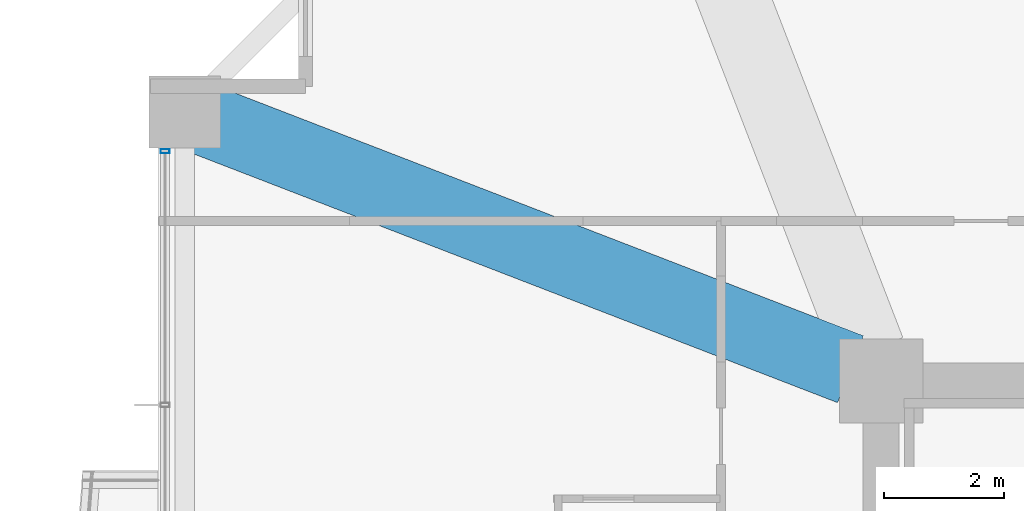
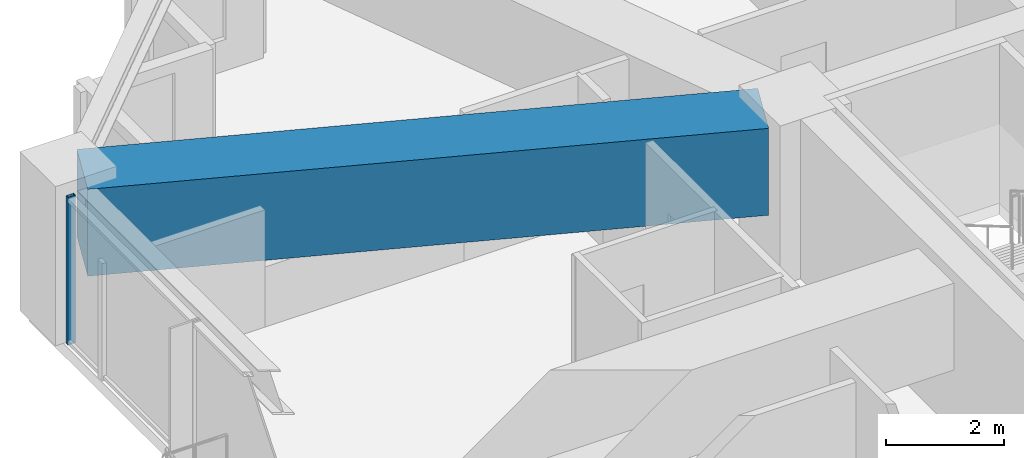
# One storey, part 20 of 39: 1 beam, 1 member, 1 element without a shape of its own.
"""IFC4 building model written with IfcOpenShell, lengths in metres."""

from ifc_helpers import new_model, si_unit, direction, frame, origin, origin_2d, place, context, subcontext, project, spatial, rectangle, hollow_rectangle, extrude, material, material_profile, profile_set, type_object, element, aggregate, save


model = new_model("IFC4")

# Units and contexts
model_context = context("Model", 3, precision=1e-05, world=origin(), true_north=direction((0.0, 1.0)))
body_context = subcontext(model_context, "Body", "Model", "MODEL_VIEW")
ifc_project = project(units=[si_unit("LENGTHUNIT", "METRE"), si_unit("AREAUNIT", "SQUARE_METRE"), si_unit("VOLUMEUNIT", "CUBIC_METRE"), si_unit("PLANEANGLEUNIT", "RADIAN"), si_unit("MASSUNIT", "GRAM", prefix="KILO")], contexts=[model_context])

# Site, building, storey
site_placement = place(None, origin())
site = spatial("IfcSite", under=ifc_project, at=site_placement, CompositionType="ELEMENT")
building_placement = place(site_placement, origin())
building = spatial("IfcBuilding", under=site, at=building_placement, Name="Kolvaren Belvedere", CompositionType="ELEMENT")
storey_placement = place(building_placement, frame((0.0, 0.0, 40.300048828125)))
storey = spatial("IfcBuildingStorey", under=building, at=storey_placement, Name="L11", CompositionType="ELEMENT", Elevation=40.300048828125)

# Beam
ifc_material_1 = material(Name="Concrete C50/60", Category="concrete")
ifc_material_profile_1 = material_profile(ifc_material_1, rectangle(XDim=1.199951171875, YDim=1.800048828125, at=origin_2d()), Name="RC 1200X1800")
ifc_profile_set_1 = profile_set([ifc_material_profile_1], Name="Concrete C50/60")
beam_type = type_object("IfcBeamType", Name="BM-TG-1800", PredefinedType="BEAM", material=ifc_profile_set_1)
beam_placement = place(storey_placement, frame((-10.4130859375, 10.09814453125, 2.159912109375), z_axis=(-0.932829382313, 0.360318391835, 0.0), x_axis=(-0.360318391835, -0.932829382313, 0.0)))
element("IfcBeam", 1, at=beam_placement, inside=storey, type_object=beam_type, Name="L11 Corner Core-to-Perimeter Girder CC4-W4", PredefinedType="BEAM", context=body_context, shape_type="SweptSolid", body=[
    extrude(rectangle(XDim=1.199951171875, YDim=1.800048828125, at=origin_2d()), origin(), (0.0, 0.0, 1.0), 11.698974609375),
])

# Curtain wall, member
ifc_material_2 = material(Name="Anodised pale-metal aluminium AA 6063-T6", Category="aluminium")
curtain_wall_type = type_object("IfcCurtainWallType", Name="CW-Z1-LOW", PredefinedType="NOTDEFINED", material=ifc_material_2)
curtain_wall_placement = place(storey_placement, origin())
curtain_wall = element("IfcCurtainWall", 2, at=curtain_wall_placement, inside=storey, type_object=curtain_wall_type, Name="L11 Unitised Curtain Wall FCW-L11-W2-B2", PredefinedType="NOTDEFINED")
ifc_material_3 = material(Name="Anodised pale-metal aluminium AA 6063-T6", Category="aluminium")
ifc_material_profile_2 = material_profile(ifc_material_3, hollow_rectangle(XDim=0.070068359375, YDim=0.14990234375, WallThickness=0.004150390625, at=origin_2d()), Name="ALU-MUL-150X70")
ifc_profile_set_2 = profile_set([ifc_material_profile_2], Name="Anodised pale-metal aluminium AA 6063-T6")
member_type = type_object("IfcMemberType", Name="CW-MUL-150", PredefinedType="MULLION", material=ifc_profile_set_2)
member_placement = place(storey_placement, frame((-21.8798828125, 13.7451171875, 0.0), z_axis=(0.0, 0.0, 1.0), x_axis=(0.0, 1.0, 0.0)))
member = element("IfcMember", 3, at=member_placement, type_object=member_type, Name="FCW-L11-W2-B2 Unitised Mullion 3", PredefinedType="MULLION", context=body_context, shape_type="SweptSolid", body=[
    extrude(hollow_rectangle(XDim=0.070068359375, YDim=0.14990234375, WallThickness=0.004150390625, at=origin_2d()), origin(), (0.0, 0.0, 1.0), 3.06005859375),
])
aggregate(curtain_wall, [member])

save(model, "model.ifc")
